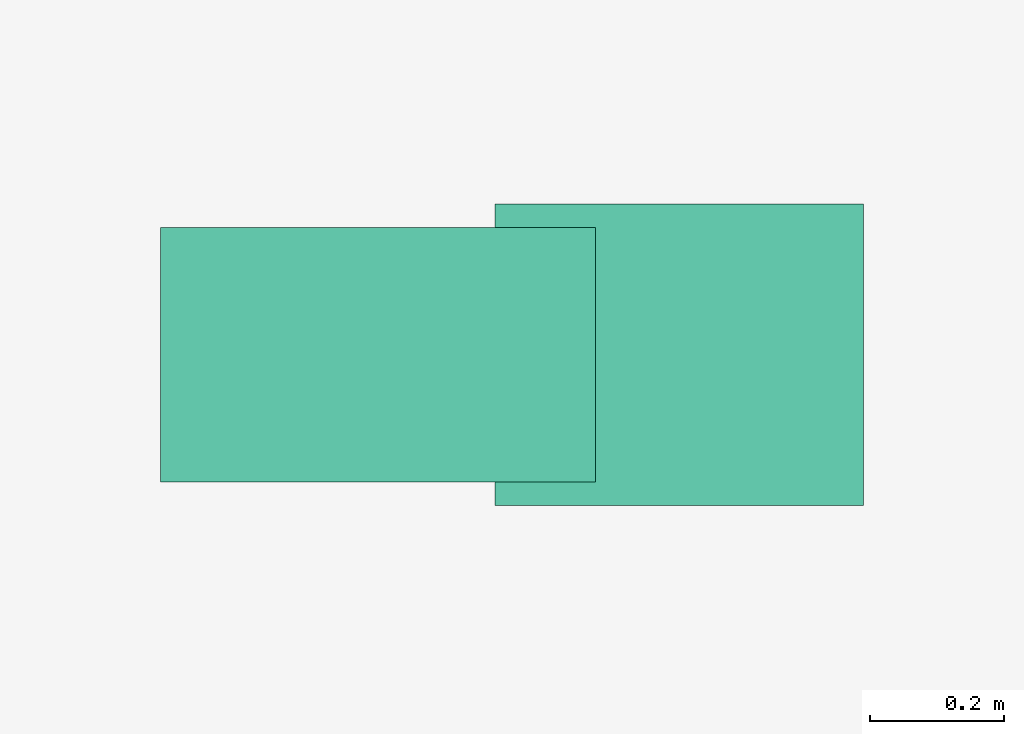
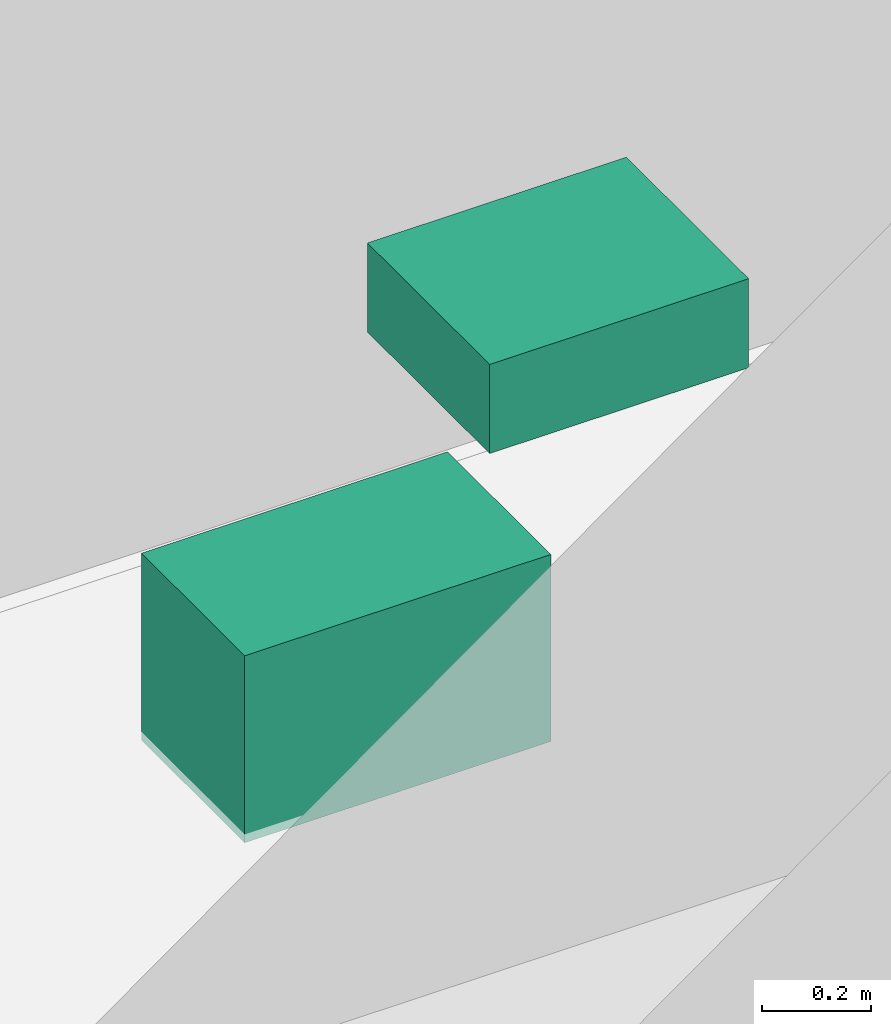
# One storey, part 13 of 13: 2 sanitary terminals.
"""IFC4 building model written with IfcOpenShell, lengths in metres."""

from ifc_helpers import new_model, si_unit, direction, frame, origin, origin_2d, place, context, subcontext, project, spatial, rectangle, extrude, material, type_object, element, save


model = new_model("IFC4")

# Units and contexts
model_context = context("Model", 3, precision=1e-05, world=origin(), true_north=direction((0.0, 1.0)))
body_context = subcontext(model_context, "Body", "Model", "MODEL_VIEW")
ifc_project = project(units=[si_unit("LENGTHUNIT", "METRE"), si_unit("AREAUNIT", "SQUARE_METRE"), si_unit("VOLUMEUNIT", "CUBIC_METRE"), si_unit("PLANEANGLEUNIT", "RADIAN"), si_unit("MASSUNIT", "GRAM", prefix="KILO")], contexts=[model_context])

# Site, building, storey
site_placement = place(None, origin())
site = spatial("IfcSite", under=ifc_project, at=site_placement, CompositionType="ELEMENT")
building_placement = place(site_placement, origin())
building = spatial("IfcBuilding", under=site, at=building_placement, Name="Savorim Split Tower", CompositionType="ELEMENT")
storey_placement = place(building_placement, frame((0.0, 0.0, 312.0)))
storey = spatial("IfcBuildingStorey", under=building, at=storey_placement, Name="Crown L83 Plant", CompositionType="ELEMENT", Elevation=312.0)

# Sanitary terminals
ifc_material = material(Name="Vitreous China Sanitaryware")
sanitary_terminal_type_1 = type_object("IfcSanitaryTerminalType", Name="SAN-WC-PAN", PredefinedType="TOILETPAN", material=ifc_material)
sanitary_terminal_1_placement = place(storey_placement, frame((5.800048828125, -8.3701171875, 0.0), z_axis=(0.0, 0.0, 1.0), x_axis=(1.0, 0.0, 0.0)))
element("IfcSanitaryTerminal", 1, at=sanitary_terminal_1_placement, inside=storey, type_object=sanitary_terminal_type_1, Name="Crown L83 Plant Accessible WC WC Pan", PredefinedType="TOILETPAN", context=body_context, shape_type="SweptSolid", body=[
    extrude(rectangle(XDim=0.64990234375, YDim=0.3798828125, at=origin_2d()), origin(), (0.0, 0.0, 1.0), 0.419921875),
])
sanitary_terminal_type_2 = type_object("IfcSanitaryTerminalType", Name="SAN-WHB-550", PredefinedType="WASHHANDBASIN", material=ifc_material)
sanitary_terminal_2_placement = place(storey_placement, frame((6.25, -8.3701171875, 0.72021484375), z_axis=(0.0, 0.0, 1.0), x_axis=(1.0, 0.0, 0.0)))
element("IfcSanitaryTerminal", 2, at=sanitary_terminal_2_placement, inside=storey, type_object=sanitary_terminal_type_2, Name="Crown L83 Plant Accessible WC Washhand Basin", PredefinedType="WASHHANDBASIN", context=body_context, shape_type="SweptSolid", body=[
    extrude(rectangle(XDim=0.550048828125, YDim=0.449951171875, at=origin_2d()), origin(), (0.0, 0.0, 1.0), 0.199951171875),
])

save(model, "model.ifc")
